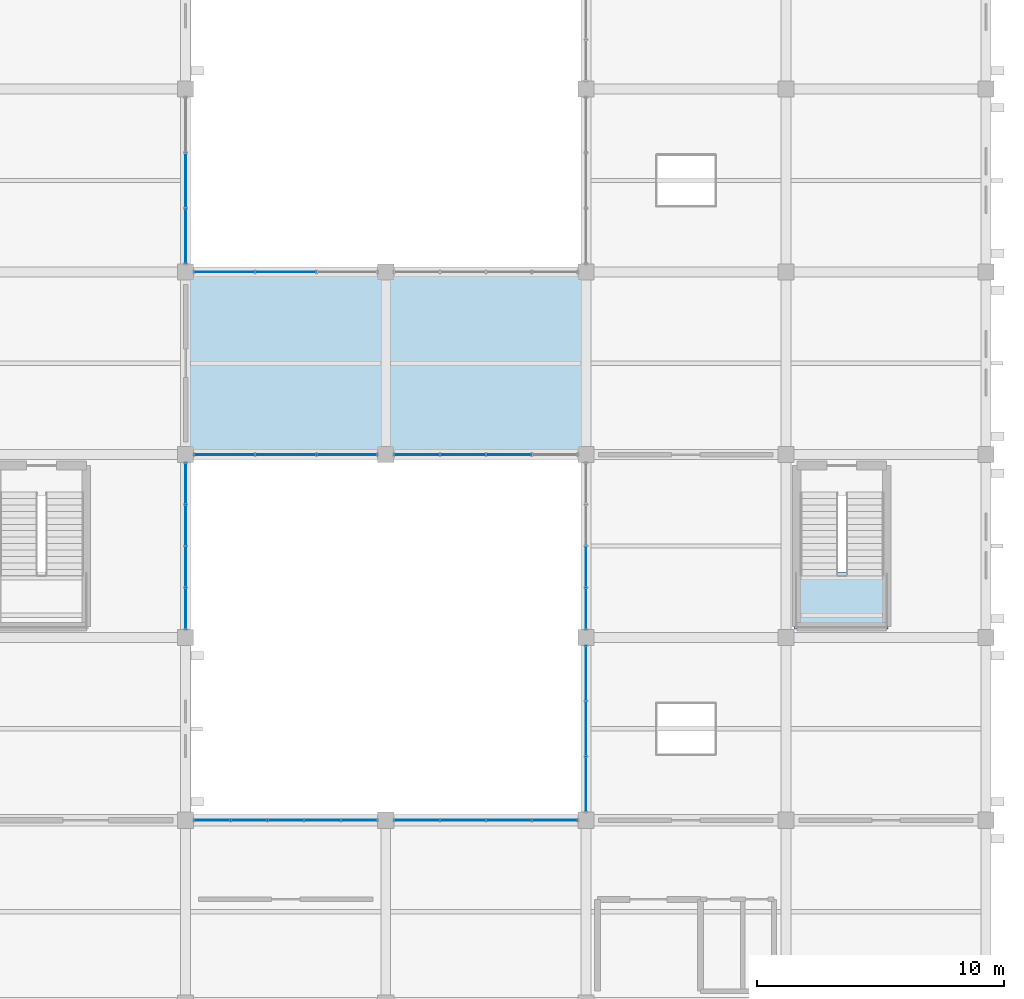
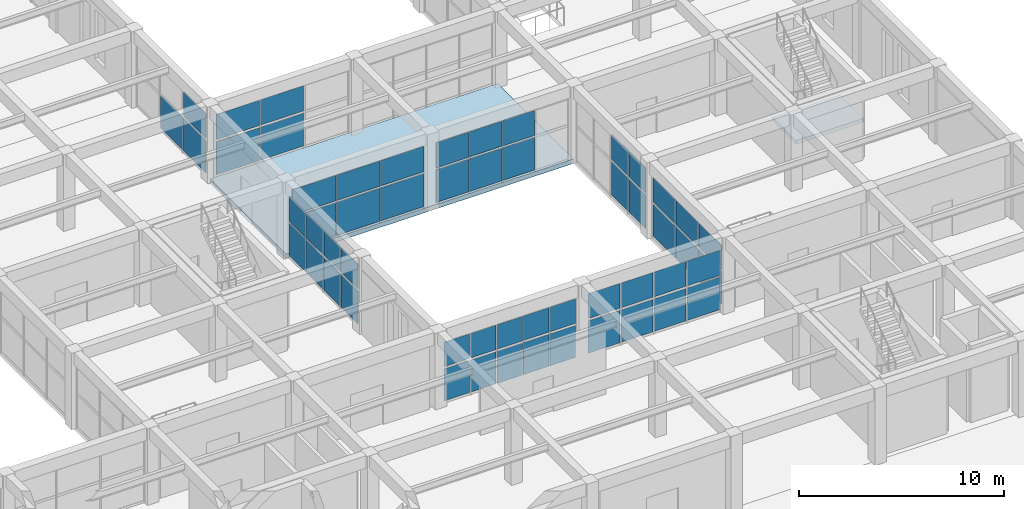
# One storey, part 140 of 161: 55 plates, 2 slabs, 10 elements without a shape of their own.
"""IFC4 building model written with IfcOpenShell, lengths in metres."""

from ifc_helpers import new_model, si_unit, direction, frame, origin, origin_2d, place, context, subcontext, project, spatial, polyline, rectangle, outline, extrude, material, layer, layer_set, type_object, element, aggregate, save


model = new_model("IFC4")

# Units and contexts
model_context = context("Model", 3, precision=1e-05, world=origin(), true_north=direction((0.0, 1.0)))
body_context = subcontext(model_context, "Body", "Model", "MODEL_VIEW")
ifc_project = project(units=[si_unit("LENGTHUNIT", "METRE"), si_unit("AREAUNIT", "SQUARE_METRE"), si_unit("VOLUMEUNIT", "CUBIC_METRE"), si_unit("PLANEANGLEUNIT", "RADIAN"), si_unit("MASSUNIT", "GRAM", prefix="KILO")], contexts=[model_context])

# Site, building, storey
site_placement = place(None, origin())
site = spatial("IfcSite", under=ifc_project, at=site_placement, CompositionType="ELEMENT")
building_placement = place(site_placement, origin())
building = spatial("IfcBuilding", under=site, at=building_placement, Name="Cimatlan Art Gallery", CompositionType="ELEMENT")
storey_placement = place(building_placement, frame((0.0, 0.0, 5.39990234375)))
storey = spatial("IfcBuildingStorey", under=building, at=storey_placement, Name="L01", CompositionType="ELEMENT", Elevation=5.39990234375)

# Curtain wall, plates
ifc_material_1 = material(Name="Anodised bronze unitised curtain wall")
curtain_wall_type_1 = type_object("IfcCurtainWallType", Name="CW-V-07442X03735-B5", PredefinedType="NOTDEFINED", material=ifc_material_1)
curtain_wall_1_placement = place(storey_placement, origin())
curtain_wall_1 = element("IfcCurtainWall", 1, at=curtain_wall_1_placement, inside=storey, type_object=curtain_wall_type_1, Name="CW-L01-16-04-N", PredefinedType="NOTDEFINED")
ifc_material_2 = material(Name="Low-E insulated double glazing", Category="glass")
ifc_layer_1 = layer(ifc_material_2, 0.028076171875)
ifc_layer_set_1 = layer_set([ifc_layer_1], Name="Low-E insulated double glazing")
plate_type_1 = type_object("IfcPlateType", Name="PNL-1430X1459", PredefinedType="CURTAIN_PANEL", material=ifc_layer_set_1)
plate_1_placement = place(storey_placement, frame((132.673095703125, 38.699951171875, 2.15380859375), z_axis=(0.0, 0.0, 1.0), x_axis=(1.0, 0.0, 0.0)))
plate_1 = element("IfcPlate", 2, at=plate_1_placement, type_object=plate_type_1, Name="CW-L01-16-04-N-P12", PredefinedType="CURTAIN_PANEL", context=body_context, shape_type="SweptSolid", body=[
    extrude(rectangle(XDim=1.429931640625, YDim=0.028076171875, at=origin_2d()), origin(), (0.0, 0.0, 1.0), 1.458984375),
])
plate_2_placement = place(storey_placement, frame((134.16162109375, 38.699951171875, 2.15380859375), z_axis=(0.0, 0.0, 1.0), x_axis=(1.0, 0.0, 0.0)))
plate_2 = element("IfcPlate", 3, at=plate_2_placement, type_object=plate_type_1, Name="CW-L01-16-04-N-P22", PredefinedType="CURTAIN_PANEL", context=body_context, shape_type="SweptSolid", body=[
    extrude(rectangle(XDim=1.429931640625, YDim=0.028076171875, at=origin_2d()), origin(), (0.0, 0.0, 1.0), 1.458984375),
])
plate_3_placement = place(storey_placement, frame((135.64990234375, 38.699951171875, 2.15380859375), z_axis=(0.0, 0.0, 1.0), x_axis=(1.0, 0.0, 0.0)))
plate_3 = element("IfcPlate", 4, at=plate_3_placement, type_object=plate_type_1, Name="CW-L01-16-04-N-P32", PredefinedType="CURTAIN_PANEL", context=body_context, shape_type="SweptSolid", body=[
    extrude(rectangle(XDim=1.429931640625, YDim=0.028076171875, at=origin_2d()), origin(), (0.0, 0.0, 1.0), 1.458984375),
])
plate_4_placement = place(storey_placement, frame((137.138427734375, 38.699951171875, 2.15380859375), z_axis=(0.0, 0.0, 1.0), x_axis=(1.0, 0.0, 0.0)))
plate_4 = element("IfcPlate", 5, at=plate_4_placement, type_object=plate_type_1, Name="CW-L01-16-04-N-P42", PredefinedType="CURTAIN_PANEL", context=body_context, shape_type="SweptSolid", body=[
    extrude(rectangle(XDim=1.429931640625, YDim=0.028076171875, at=origin_2d()), origin(), (0.0, 0.0, 1.0), 1.458984375),
])
plate_5_placement = place(storey_placement, frame((138.626708984375, 38.699951171875, 2.15380859375), z_axis=(0.0, 0.0, 1.0), x_axis=(1.0, 0.0, 0.0)))
plate_5 = element("IfcPlate", 6, at=plate_5_placement, type_object=plate_type_1, Name="CW-L01-16-04-N-P52", PredefinedType="CURTAIN_PANEL", context=body_context, shape_type="SweptSolid", body=[
    extrude(rectangle(XDim=1.429931640625, YDim=0.028076171875, at=origin_2d()), origin(), (0.0, 0.0, 1.0), 1.458984375),
])
ifc_layer_2 = layer(ifc_material_2, 0.028076171875)
ifc_layer_set_2 = layer_set([ifc_layer_2], Name="Low-E insulated double glazing")
plate_type_2 = type_object("IfcPlateType", Name="PNL-1430X1908", PredefinedType="CURTAIN_PANEL", material=ifc_layer_set_2)
plate_6_placement = place(storey_placement, frame((132.673095703125, 38.699951171875, 0.1220703125), z_axis=(0.0, 0.0, 1.0), x_axis=(1.0, 0.0, 0.0)))
plate_6 = element("IfcPlate", 7, at=plate_6_placement, type_object=plate_type_2, Name="CW-L01-16-04-N-P11", PredefinedType="CURTAIN_PANEL", context=body_context, shape_type="SweptSolid", body=[
    extrude(rectangle(XDim=1.429931640625, YDim=0.028076171875, at=origin_2d()), origin(), (0.0, 0.0, 1.0), 1.907958984375),
])
plate_7_placement = place(storey_placement, frame((134.16162109375, 38.699951171875, 0.1220703125), z_axis=(0.0, 0.0, 1.0), x_axis=(1.0, 0.0, 0.0)))
plate_7 = element("IfcPlate", 8, at=plate_7_placement, type_object=plate_type_2, Name="CW-L01-16-04-N-P21", PredefinedType="CURTAIN_PANEL", context=body_context, shape_type="SweptSolid", body=[
    extrude(rectangle(XDim=1.429931640625, YDim=0.028076171875, at=origin_2d()), origin(), (0.0, 0.0, 1.0), 1.907958984375),
])
plate_8_placement = place(storey_placement, frame((135.64990234375, 38.699951171875, 0.1220703125), z_axis=(0.0, 0.0, 1.0), x_axis=(1.0, 0.0, 0.0)))
plate_8 = element("IfcPlate", 9, at=plate_8_placement, type_object=plate_type_2, Name="CW-L01-16-04-N-P31", PredefinedType="CURTAIN_PANEL", context=body_context, shape_type="SweptSolid", body=[
    extrude(rectangle(XDim=1.429931640625, YDim=0.028076171875, at=origin_2d()), origin(), (0.0, 0.0, 1.0), 1.907958984375),
])
plate_9_placement = place(storey_placement, frame((137.138427734375, 38.699951171875, 0.1220703125), z_axis=(0.0, 0.0, 1.0), x_axis=(1.0, 0.0, 0.0)))
plate_9 = element("IfcPlate", 10, at=plate_9_placement, type_object=plate_type_2, Name="CW-L01-16-04-N-P41", PredefinedType="CURTAIN_PANEL", context=body_context, shape_type="SweptSolid", body=[
    extrude(rectangle(XDim=1.429931640625, YDim=0.028076171875, at=origin_2d()), origin(), (0.0, 0.0, 1.0), 1.907958984375),
])
plate_10_placement = place(storey_placement, frame((138.626708984375, 38.699951171875, 0.1220703125), z_axis=(0.0, 0.0, 1.0), x_axis=(1.0, 0.0, 0.0)))
plate_10 = element("IfcPlate", 11, at=plate_10_placement, type_object=plate_type_2, Name="CW-L01-16-04-N-P51", PredefinedType="CURTAIN_PANEL", context=body_context, shape_type="SweptSolid", body=[
    extrude(rectangle(XDim=1.429931640625, YDim=0.028076171875, at=origin_2d()), origin(), (0.0, 0.0, 1.0), 1.907958984375),
])
aggregate(curtain_wall_1, [plate_6, plate_1, plate_7, plate_2, plate_8, plate_3, plate_9, plate_4, plate_10, plate_5])

curtain_wall_type_2 = type_object("IfcCurtainWallType", Name="CW-V-06742X03800-B4", PredefinedType="NOTDEFINED", material=ifc_material_1)
curtain_wall_2_placement = place(storey_placement, origin())
curtain_wall_2 = element("IfcCurtainWall", 12, at=curtain_wall_2_placement, inside=storey, type_object=curtain_wall_type_2, Name="CW-L01-15-06-E", PredefinedType="NOTDEFINED")
ifc_layer_3 = layer(ifc_material_2, 0.028076171875)
ifc_layer_set_3 = layer_set([ifc_layer_3], Name="Low-E insulated double glazing")
plate_type_3 = type_object("IfcPlateType", Name="PNL-1627X1488", PredefinedType="CURTAIN_PANEL", material=ifc_layer_set_3)
plate_11_placement = place(storey_placement, frame((131.60009765625, 52.328369140625, 2.18994140625), z_axis=(0.0, 0.0, 1.0), x_axis=(0.0, -1.0, 0.0)))
plate_11 = element("IfcPlate", 13, at=plate_11_placement, type_object=plate_type_3, Name="CW-L01-15-06-E-P12", PredefinedType="CURTAIN_PANEL", context=body_context, shape_type="SweptSolid", body=[
    extrude(rectangle(XDim=1.626953125, YDim=0.028076171875, at=origin_2d()), origin(), (0.0, 0.0, 1.0), 1.488037109375),
])
plate_12_placement = place(storey_placement, frame((131.60009765625, 50.642822265625, 2.18994140625), z_axis=(0.0, 0.0, 1.0), x_axis=(0.0, -1.0, 0.0)))
plate_12 = element("IfcPlate", 14, at=plate_12_placement, type_object=plate_type_3, Name="CW-L01-15-06-E-P22", PredefinedType="CURTAIN_PANEL", context=body_context, shape_type="SweptSolid", body=[
    extrude(rectangle(XDim=1.626953125, YDim=0.028076171875, at=origin_2d()), origin(), (0.0, 0.0, 1.0), 1.488037109375),
])
plate_13_placement = place(storey_placement, frame((131.60009765625, 48.957275390625, 2.18994140625), z_axis=(0.0, 0.0, 1.0), x_axis=(0.0, -1.0, 0.0)))
plate_13 = element("IfcPlate", 15, at=plate_13_placement, type_object=plate_type_3, Name="CW-L01-15-06-E-P32", PredefinedType="CURTAIN_PANEL", context=body_context, shape_type="SweptSolid", body=[
    extrude(rectangle(XDim=1.626953125, YDim=0.028076171875, at=origin_2d()), origin(), (0.0, 0.0, 1.0), 1.488037109375),
])
plate_14_placement = place(storey_placement, frame((131.60009765625, 47.271728515625, 2.18994140625), z_axis=(0.0, 0.0, 1.0), x_axis=(0.0, -1.0, 0.0)))
plate_14 = element("IfcPlate", 16, at=plate_14_placement, type_object=plate_type_3, Name="CW-L01-15-06-E-P42", PredefinedType="CURTAIN_PANEL", context=body_context, shape_type="SweptSolid", body=[
    extrude(rectangle(XDim=1.626953125, YDim=0.028076171875, at=origin_2d()), origin(), (0.0, 0.0, 1.0), 1.488037109375),
])

curtain_wall_type_3 = type_object("IfcCurtainWallType", Name="CW-V-06742X03845-B4", PredefinedType="NOTDEFINED", material=ifc_material_1)
curtain_wall_3_placement = place(storey_placement, origin())
curtain_wall_3 = element("IfcCurtainWall", 17, at=curtain_wall_3_placement, inside=storey, type_object=curtain_wall_type_3, Name="CW-L01-18-06-W", PredefinedType="NOTDEFINED")
ifc_layer_4 = layer(ifc_material_2, 0.028076171875)
ifc_layer_set_4 = layer_set([ifc_layer_4], Name="Low-E insulated double glazing")
plate_type_4 = type_object("IfcPlateType", Name="PNL-1627X1508", PredefinedType="CURTAIN_PANEL", material=ifc_layer_set_4)
plate_15_placement = place(storey_placement, frame((147.800048828125, 47.271728515625, 2.21533203125), z_axis=(0.0, 0.0, 1.0), x_axis=(0.0, 1.0, 0.0)))
plate_15 = element("IfcPlate", 18, at=plate_15_placement, type_object=plate_type_4, Name="CW-L01-18-06-W-P12", PredefinedType="CURTAIN_PANEL", context=body_context, shape_type="SweptSolid", body=[
    extrude(rectangle(XDim=1.626953125, YDim=0.028076171875, at=origin_2d()), origin(), (0.0, 0.0, 1.0), 1.508056640625),
])
plate_16_placement = place(storey_placement, frame((147.800048828125, 48.957275390625, 2.21533203125), z_axis=(0.0, 0.0, 1.0), x_axis=(0.0, 1.0, 0.0)))
plate_16 = element("IfcPlate", 19, at=plate_16_placement, type_object=plate_type_4, Name="CW-L01-18-06-W-P22", PredefinedType="CURTAIN_PANEL", context=body_context, shape_type="SweptSolid", body=[
    extrude(rectangle(XDim=1.626953125, YDim=0.028076171875, at=origin_2d()), origin(), (0.0, 0.0, 1.0), 1.508056640625),
])

# Plate
ifc_layer_5 = layer(ifc_material_2, 0.028076171875)
ifc_layer_set_5 = layer_set([ifc_layer_5], Name="Low-E insulated double glazing")
plate_type_5 = type_object("IfcPlateType", Name="PNL-1627X1944", PredefinedType="CURTAIN_PANEL", material=ifc_layer_set_5)
plate_17_placement = place(storey_placement, frame((131.60009765625, 52.328369140625, 0.1220703125), z_axis=(0.0, 0.0, 1.0), x_axis=(0.0, -1.0, 0.0)))
plate_17 = element("IfcPlate", 20, at=plate_17_placement, type_object=plate_type_5, Name="CW-L01-15-06-E-P11", PredefinedType="CURTAIN_PANEL", context=body_context, shape_type="SweptSolid", body=[
    extrude(rectangle(XDim=1.626953125, YDim=0.028076171875, at=origin_2d()), origin(), (0.0, 0.0, 1.0), 1.944091796875),
])

plate_18_placement = place(storey_placement, frame((131.60009765625, 50.642822265625, 0.1220703125), z_axis=(0.0, 0.0, 1.0), x_axis=(0.0, -1.0, 0.0)))
plate_18 = element("IfcPlate", 21, at=plate_18_placement, type_object=plate_type_5, Name="CW-L01-15-06-E-P21", PredefinedType="CURTAIN_PANEL", context=body_context, shape_type="SweptSolid", body=[
    extrude(rectangle(XDim=1.626953125, YDim=0.028076171875, at=origin_2d()), origin(), (0.0, 0.0, 1.0), 1.944091796875),
])

plate_19_placement = place(storey_placement, frame((131.60009765625, 48.957275390625, 0.1220703125), z_axis=(0.0, 0.0, 1.0), x_axis=(0.0, -1.0, 0.0)))
plate_19 = element("IfcPlate", 22, at=plate_19_placement, type_object=plate_type_5, Name="CW-L01-15-06-E-P31", PredefinedType="CURTAIN_PANEL", context=body_context, shape_type="SweptSolid", body=[
    extrude(rectangle(XDim=1.626953125, YDim=0.028076171875, at=origin_2d()), origin(), (0.0, 0.0, 1.0), 1.944091796875),
])

plate_20_placement = place(storey_placement, frame((131.60009765625, 47.271728515625, 0.1220703125), z_axis=(0.0, 0.0, 1.0), x_axis=(0.0, -1.0, 0.0)))
plate_20 = element("IfcPlate", 23, at=plate_20_placement, type_object=plate_type_5, Name="CW-L01-15-06-E-P41", PredefinedType="CURTAIN_PANEL", context=body_context, shape_type="SweptSolid", body=[
    extrude(rectangle(XDim=1.626953125, YDim=0.028076171875, at=origin_2d()), origin(), (0.0, 0.0, 1.0), 1.944091796875),
])

aggregate(curtain_wall_2, [plate_17, plate_11, plate_18, plate_12, plate_19, plate_13, plate_20, plate_14])

ifc_layer_6 = layer(ifc_material_2, 0.028076171875)
ifc_layer_set_6 = layer_set([ifc_layer_6], Name="Low-E insulated double glazing")
plate_type_6 = type_object("IfcPlateType", Name="PNL-1627X1969", PredefinedType="CURTAIN_PANEL", material=ifc_layer_set_6)
plate_21_placement = place(storey_placement, frame((147.800048828125, 47.271728515625, 0.1220703125), z_axis=(0.0, 0.0, 1.0), x_axis=(0.0, 1.0, 0.0)))
plate_21 = element("IfcPlate", 24, at=plate_21_placement, type_object=plate_type_6, Name="CW-L01-18-06-W-P11", PredefinedType="CURTAIN_PANEL", context=body_context, shape_type="SweptSolid", body=[
    extrude(rectangle(XDim=1.626953125, YDim=0.028076171875, at=origin_2d()), origin(), (0.0, 0.0, 1.0), 1.968994140625),
])

plate_22_placement = place(storey_placement, frame((147.800048828125, 48.957275390625, 0.1220703125), z_axis=(0.0, 0.0, 1.0), x_axis=(0.0, 1.0, 0.0)))
plate_22 = element("IfcPlate", 25, at=plate_22_placement, type_object=plate_type_6, Name="CW-L01-18-06-W-P21", PredefinedType="CURTAIN_PANEL", context=body_context, shape_type="SweptSolid", body=[
    extrude(rectangle(XDim=1.626953125, YDim=0.028076171875, at=origin_2d()), origin(), (0.0, 0.0, 1.0), 1.968994140625),
])

aggregate(curtain_wall_3, [plate_21, plate_15, plate_22, plate_16])

# Curtain wall, plates
curtain_wall_type_4 = type_object("IfcCurtainWallType", Name="CW-V-07442X03780-B4", PredefinedType="NOTDEFINED", material=ifc_material_1)
curtain_wall_4_placement = place(storey_placement, origin())
curtain_wall_4 = element("IfcCurtainWall", 26, at=curtain_wall_4_placement, inside=storey, type_object=curtain_wall_type_4, Name="CW-L01-17-04-N", PredefinedType="NOTDEFINED")
ifc_layer_7 = layer(ifc_material_2, 0.028076171875)
ifc_layer_set_7 = layer_set([ifc_layer_7], Name="Low-E insulated double glazing")
plate_type_7 = type_object("IfcPlateType", Name="PNL-1802X1479", PredefinedType="CURTAIN_PANEL", material=ifc_layer_set_7)
plate_23_placement = place(storey_placement, frame((140.959228515625, 38.699951171875, 2.178955078125), z_axis=(0.0, 0.0, 1.0), x_axis=(1.0, 0.0, 0.0)))
plate_23 = element("IfcPlate", 27, at=plate_23_placement, type_object=plate_type_7, Name="CW-L01-17-04-N-P12", PredefinedType="CURTAIN_PANEL", context=body_context, shape_type="SweptSolid", body=[
    extrude(rectangle(XDim=1.802001953125, YDim=0.028076171875, at=origin_2d()), origin(), (0.0, 0.0, 1.0), 1.47900390625),
])
plate_24_placement = place(storey_placement, frame((142.81982421875, 38.699951171875, 2.178955078125), z_axis=(0.0, 0.0, 1.0), x_axis=(1.0, 0.0, 0.0)))
plate_24 = element("IfcPlate", 28, at=plate_24_placement, type_object=plate_type_7, Name="CW-L01-17-04-N-P22", PredefinedType="CURTAIN_PANEL", context=body_context, shape_type="SweptSolid", body=[
    extrude(rectangle(XDim=1.802001953125, YDim=0.028076171875, at=origin_2d()), origin(), (0.0, 0.0, 1.0), 1.47900390625),
])
plate_25_placement = place(storey_placement, frame((144.68017578125, 38.699951171875, 2.178955078125), z_axis=(0.0, 0.0, 1.0), x_axis=(1.0, 0.0, 0.0)))
plate_25 = element("IfcPlate", 29, at=plate_25_placement, type_object=plate_type_7, Name="CW-L01-17-04-N-P32", PredefinedType="CURTAIN_PANEL", context=body_context, shape_type="SweptSolid", body=[
    extrude(rectangle(XDim=1.802001953125, YDim=0.028076171875, at=origin_2d()), origin(), (0.0, 0.0, 1.0), 1.47900390625),
])
plate_26_placement = place(storey_placement, frame((146.540771484375, 38.699951171875, 2.178955078125), z_axis=(0.0, 0.0, 1.0), x_axis=(1.0, 0.0, 0.0)))
plate_26 = element("IfcPlate", 30, at=plate_26_placement, type_object=plate_type_7, Name="CW-L01-17-04-N-P42", PredefinedType="CURTAIN_PANEL", context=body_context, shape_type="SweptSolid", body=[
    extrude(rectangle(XDim=1.802001953125, YDim=0.028076171875, at=origin_2d()), origin(), (0.0, 0.0, 1.0), 1.47900390625),
])

curtain_wall_type_5 = type_object("IfcCurtainWallType", Name="CW-V-07442X03785-B4", PredefinedType="NOTDEFINED", material=ifc_material_1)
curtain_wall_5_placement = place(storey_placement, origin())
curtain_wall_5 = element("IfcCurtainWall", 31, at=curtain_wall_5_placement, inside=storey, type_object=curtain_wall_type_5, Name="CW-L01-17-07-S", PredefinedType="NOTDEFINED")
ifc_layer_8 = layer(ifc_material_2, 0.028076171875)
ifc_layer_set_8 = layer_set([ifc_layer_8], Name="Low-E insulated double glazing")
plate_type_8 = type_object("IfcPlateType", Name="PNL-1802X1481", PredefinedType="CURTAIN_PANEL", material=ifc_layer_set_8)
plate_27_placement = place(storey_placement, frame((144.68017578125, 53.5, 2.181884765625), z_axis=(0.0, 0.0, 1.0), x_axis=(-1.0, 0.0, 0.0)))
plate_27 = element("IfcPlate", 32, at=plate_27_placement, type_object=plate_type_8, Name="CW-L01-17-07-S-P22", PredefinedType="CURTAIN_PANEL", context=body_context, shape_type="SweptSolid", body=[
    extrude(rectangle(XDim=1.802001953125, YDim=0.028076171875, at=origin_2d()), origin(), (0.0, 0.0, 1.0), 1.48095703125),
])
plate_28_placement = place(storey_placement, frame((142.81982421875, 53.5, 2.181884765625), z_axis=(0.0, 0.0, 1.0), x_axis=(-1.0, 0.0, 0.0)))
plate_28 = element("IfcPlate", 33, at=plate_28_placement, type_object=plate_type_8, Name="CW-L01-17-07-S-P32", PredefinedType="CURTAIN_PANEL", context=body_context, shape_type="SweptSolid", body=[
    extrude(rectangle(XDim=1.802001953125, YDim=0.028076171875, at=origin_2d()), origin(), (0.0, 0.0, 1.0), 1.48095703125),
])
plate_29_placement = place(storey_placement, frame((140.959228515625, 53.5, 2.181884765625), z_axis=(0.0, 0.0, 1.0), x_axis=(-1.0, 0.0, 0.0)))
plate_29 = element("IfcPlate", 34, at=plate_29_placement, type_object=plate_type_8, Name="CW-L01-17-07-S-P42", PredefinedType="CURTAIN_PANEL", context=body_context, shape_type="SweptSolid", body=[
    extrude(rectangle(XDim=1.802001953125, YDim=0.028076171875, at=origin_2d()), origin(), (0.0, 0.0, 1.0), 1.48095703125),
])

# Plate
ifc_layer_9 = layer(ifc_material_2, 0.028076171875)
ifc_layer_set_9 = layer_set([ifc_layer_9], Name="Low-E insulated double glazing")
plate_type_9 = type_object("IfcPlateType", Name="PNL-1802X1933", PredefinedType="CURTAIN_PANEL", material=ifc_layer_set_9)
plate_30_placement = place(storey_placement, frame((140.959228515625, 38.699951171875, 0.121826171875), z_axis=(0.0, 0.0, 1.0), x_axis=(1.0, 0.0, 0.0)))
plate_30 = element("IfcPlate", 35, at=plate_30_placement, type_object=plate_type_9, Name="CW-L01-17-04-N-P11", PredefinedType="CURTAIN_PANEL", context=body_context, shape_type="SweptSolid", body=[
    extrude(rectangle(XDim=1.802001953125, YDim=0.028076171875, at=origin_2d()), origin(), (0.0, 0.0, 1.0), 1.93310546875),
])

plate_31_placement = place(storey_placement, frame((142.81982421875, 38.699951171875, 0.121826171875), z_axis=(0.0, 0.0, 1.0), x_axis=(1.0, 0.0, 0.0)))
plate_31 = element("IfcPlate", 36, at=plate_31_placement, type_object=plate_type_9, Name="CW-L01-17-04-N-P21", PredefinedType="CURTAIN_PANEL", context=body_context, shape_type="SweptSolid", body=[
    extrude(rectangle(XDim=1.802001953125, YDim=0.028076171875, at=origin_2d()), origin(), (0.0, 0.0, 1.0), 1.93310546875),
])

plate_32_placement = place(storey_placement, frame((144.68017578125, 38.699951171875, 0.121826171875), z_axis=(0.0, 0.0, 1.0), x_axis=(1.0, 0.0, 0.0)))
plate_32 = element("IfcPlate", 37, at=plate_32_placement, type_object=plate_type_9, Name="CW-L01-17-04-N-P31", PredefinedType="CURTAIN_PANEL", context=body_context, shape_type="SweptSolid", body=[
    extrude(rectangle(XDim=1.802001953125, YDim=0.028076171875, at=origin_2d()), origin(), (0.0, 0.0, 1.0), 1.93310546875),
])

plate_33_placement = place(storey_placement, frame((146.540771484375, 38.699951171875, 0.121826171875), z_axis=(0.0, 0.0, 1.0), x_axis=(1.0, 0.0, 0.0)))
plate_33 = element("IfcPlate", 38, at=plate_33_placement, type_object=plate_type_9, Name="CW-L01-17-04-N-P41", PredefinedType="CURTAIN_PANEL", context=body_context, shape_type="SweptSolid", body=[
    extrude(rectangle(XDim=1.802001953125, YDim=0.028076171875, at=origin_2d()), origin(), (0.0, 0.0, 1.0), 1.93310546875),
])

aggregate(curtain_wall_4, [plate_30, plate_23, plate_31, plate_24, plate_32, plate_25, plate_33, plate_26])

ifc_layer_10 = layer(ifc_material_2, 0.028076171875)
ifc_layer_set_10 = layer_set([ifc_layer_10], Name="Low-E insulated double glazing")
plate_type_10 = type_object("IfcPlateType", Name="PNL-1802X1936", PredefinedType="CURTAIN_PANEL", material=ifc_layer_set_10)
plate_34_placement = place(storey_placement, frame((144.68017578125, 53.5, 0.121826171875), z_axis=(0.0, 0.0, 1.0), x_axis=(-1.0, 0.0, 0.0)))
plate_34 = element("IfcPlate", 39, at=plate_34_placement, type_object=plate_type_10, Name="CW-L01-17-07-S-P21", PredefinedType="CURTAIN_PANEL", context=body_context, shape_type="SweptSolid", body=[
    extrude(rectangle(XDim=1.802001953125, YDim=0.028076171875, at=origin_2d()), origin(), (0.0, 0.0, 1.0), 1.93603515625),
])

plate_35_placement = place(storey_placement, frame((142.81982421875, 53.5, 0.121826171875), z_axis=(0.0, 0.0, 1.0), x_axis=(-1.0, 0.0, 0.0)))
plate_35 = element("IfcPlate", 40, at=plate_35_placement, type_object=plate_type_10, Name="CW-L01-17-07-S-P31", PredefinedType="CURTAIN_PANEL", context=body_context, shape_type="SweptSolid", body=[
    extrude(rectangle(XDim=1.802001953125, YDim=0.028076171875, at=origin_2d()), origin(), (0.0, 0.0, 1.0), 1.93603515625),
])

plate_36_placement = place(storey_placement, frame((140.959228515625, 53.5, 0.121826171875), z_axis=(0.0, 0.0, 1.0), x_axis=(-1.0, 0.0, 0.0)))
plate_36 = element("IfcPlate", 41, at=plate_36_placement, type_object=plate_type_10, Name="CW-L01-17-07-S-P41", PredefinedType="CURTAIN_PANEL", context=body_context, shape_type="SweptSolid", body=[
    extrude(rectangle(XDim=1.802001953125, YDim=0.028076171875, at=origin_2d()), origin(), (0.0, 0.0, 1.0), 1.93603515625),
])

aggregate(curtain_wall_5, [plate_34, plate_27, plate_35, plate_28, plate_36, plate_29])

# Curtain wall, plates
curtain_wall_type_6 = type_object("IfcCurtainWallType", Name="CW-V-06742X03720-B3", PredefinedType="NOTDEFINED", material=ifc_material_1)
curtain_wall_6_placement = place(storey_placement, origin())
curtain_wall_6 = element("IfcCurtainWall", 42, at=curtain_wall_6_placement, inside=storey, type_object=curtain_wall_type_6, Name="CW-L01-18-05-W", PredefinedType="NOTDEFINED")
ifc_layer_11 = layer(ifc_material_2, 0.028076171875)
ifc_layer_set_11 = layer_set([ifc_layer_11], Name="Low-E insulated double glazing")
plate_type_11 = type_object("IfcPlateType", Name="PNL-2189X1453", PredefinedType="CURTAIN_PANEL", material=ifc_layer_set_11)
plate_37_placement = place(storey_placement, frame((147.800048828125, 40.152587890625, 2.14501953125), z_axis=(0.0, 0.0, 1.0), x_axis=(0.0, 1.0, 0.0)))
plate_37 = element("IfcPlate", 43, at=plate_37_placement, type_object=plate_type_11, Name="CW-L01-18-05-W-P12", PredefinedType="CURTAIN_PANEL", context=body_context, shape_type="SweptSolid", body=[
    extrude(rectangle(XDim=2.18896484375, YDim=0.028076171875, at=origin_2d()), origin(), (0.0, 0.0, 1.0), 1.452880859375),
])
plate_38_placement = place(storey_placement, frame((147.800048828125, 42.39990234375, 2.14501953125), z_axis=(0.0, 0.0, 1.0), x_axis=(0.0, 1.0, 0.0)))
plate_38 = element("IfcPlate", 44, at=plate_38_placement, type_object=plate_type_11, Name="CW-L01-18-05-W-P22", PredefinedType="CURTAIN_PANEL", context=body_context, shape_type="SweptSolid", body=[
    extrude(rectangle(XDim=2.18896484375, YDim=0.028076171875, at=origin_2d()), origin(), (0.0, 0.0, 1.0), 1.452880859375),
])
plate_39_placement = place(storey_placement, frame((147.800048828125, 44.647216796875, 2.14501953125), z_axis=(0.0, 0.0, 1.0), x_axis=(0.0, 1.0, 0.0)))
plate_39 = element("IfcPlate", 45, at=plate_39_placement, type_object=plate_type_11, Name="CW-L01-18-05-W-P32", PredefinedType="CURTAIN_PANEL", context=body_context, shape_type="SweptSolid", body=[
    extrude(rectangle(XDim=2.18896484375, YDim=0.028076171875, at=origin_2d()), origin(), (0.0, 0.0, 1.0), 1.452880859375),
])

# Curtain wall, plate
curtain_wall_type_7 = type_object("IfcCurtainWallType", Name="CW-V-06742X03770-B3", PredefinedType="NOTDEFINED", material=ifc_material_1)
curtain_wall_7_placement = place(storey_placement, origin())
curtain_wall_7 = element("IfcCurtainWall", 46, at=curtain_wall_7_placement, inside=storey, type_object=curtain_wall_type_7, Name="CW-L01-15-08-E", PredefinedType="NOTDEFINED")
ifc_layer_12 = layer(ifc_material_2, 0.028076171875)
ifc_layer_set_12 = layer_set([ifc_layer_12], Name="Low-E insulated double glazing")
plate_type_12 = type_object("IfcPlateType", Name="PNL-2189X1475", PredefinedType="CURTAIN_PANEL", material=ifc_layer_set_12)
plate_40_placement = place(storey_placement, frame((131.60009765625, 62.352783203125, 2.173095703125), z_axis=(0.0, 0.0, 1.0), x_axis=(0.0, -1.0, 0.0)))
plate_40 = element("IfcPlate", 47, at=plate_40_placement, type_object=plate_type_12, Name="CW-L01-15-08-E-P32", PredefinedType="CURTAIN_PANEL", context=body_context, shape_type="SweptSolid", body=[
    extrude(rectangle(XDim=2.18896484375, YDim=0.028076171875, at=origin_2d()), origin(), (0.0, 0.0, 1.0), 1.47509765625),
])

# Plate
ifc_layer_13 = layer(ifc_material_2, 0.028076171875)
ifc_layer_set_13 = layer_set([ifc_layer_13], Name="Low-E insulated double glazing")
plate_type_13 = type_object("IfcPlateType", Name="PNL-2189X1899", PredefinedType="CURTAIN_PANEL", material=ifc_layer_set_13)
plate_41_placement = place(storey_placement, frame((147.800048828125, 40.152587890625, 0.122314453125), z_axis=(0.0, 0.0, 1.0), x_axis=(0.0, 1.0, 0.0)))
plate_41 = element("IfcPlate", 48, at=plate_41_placement, type_object=plate_type_13, Name="CW-L01-18-05-W-P11", PredefinedType="CURTAIN_PANEL", context=body_context, shape_type="SweptSolid", body=[
    extrude(rectangle(XDim=2.18896484375, YDim=0.028076171875, at=origin_2d()), origin(), (0.0, 0.0, 1.0), 1.89892578125),
])

plate_42_placement = place(storey_placement, frame((147.800048828125, 42.39990234375, 0.122314453125), z_axis=(0.0, 0.0, 1.0), x_axis=(0.0, 1.0, 0.0)))
plate_42 = element("IfcPlate", 49, at=plate_42_placement, type_object=plate_type_13, Name="CW-L01-18-05-W-P21", PredefinedType="CURTAIN_PANEL", context=body_context, shape_type="SweptSolid", body=[
    extrude(rectangle(XDim=2.18896484375, YDim=0.028076171875, at=origin_2d()), origin(), (0.0, 0.0, 1.0), 1.89892578125),
])

plate_43_placement = place(storey_placement, frame((147.800048828125, 44.647216796875, 0.122314453125), z_axis=(0.0, 0.0, 1.0), x_axis=(0.0, 1.0, 0.0)))
plate_43 = element("IfcPlate", 50, at=plate_43_placement, type_object=plate_type_13, Name="CW-L01-18-05-W-P31", PredefinedType="CURTAIN_PANEL", context=body_context, shape_type="SweptSolid", body=[
    extrude(rectangle(XDim=2.18896484375, YDim=0.028076171875, at=origin_2d()), origin(), (0.0, 0.0, 1.0), 1.89892578125),
])

aggregate(curtain_wall_6, [plate_41, plate_37, plate_42, plate_38, plate_43, plate_39])

ifc_layer_14 = layer(ifc_material_2, 0.028076171875)
ifc_layer_set_14 = layer_set([ifc_layer_14], Name="Low-E insulated double glazing")
plate_type_14 = type_object("IfcPlateType", Name="PNL-2189X1927", PredefinedType="CURTAIN_PANEL", material=ifc_layer_set_14)
plate_44_placement = place(storey_placement, frame((131.60009765625, 64.60009765625, 0.1220703125), z_axis=(0.0, 0.0, 1.0), x_axis=(0.0, -1.0, 0.0)))
plate_44 = element("IfcPlate", 51, at=plate_44_placement, type_object=plate_type_14, Name="CW-L01-15-08-E-P21", PredefinedType="CURTAIN_PANEL", context=body_context, shape_type="SweptSolid", body=[
    extrude(rectangle(XDim=2.18896484375, YDim=0.028076171875, at=origin_2d()), origin(), (0.0, 0.0, 1.0), 1.927001953125),
])

plate_45_placement = place(storey_placement, frame((131.60009765625, 62.352783203125, 0.1220703125), z_axis=(0.0, 0.0, 1.0), x_axis=(0.0, -1.0, 0.0)))
plate_45 = element("IfcPlate", 52, at=plate_45_placement, type_object=plate_type_14, Name="CW-L01-15-08-E-P31", PredefinedType="CURTAIN_PANEL", context=body_context, shape_type="SweptSolid", body=[
    extrude(rectangle(XDim=2.18896484375, YDim=0.028076171875, at=origin_2d()), origin(), (0.0, 0.0, 1.0), 1.927001953125),
])

aggregate(curtain_wall_7, [plate_44, plate_45, plate_40])

# Curtain wall, plates
curtain_wall_type_8 = type_object("IfcCurtainWallType", Name="CW-V-07442X03830-B3", PredefinedType="NOTDEFINED", material=ifc_material_1)
curtain_wall_8_placement = place(storey_placement, origin())
curtain_wall_8 = element("IfcCurtainWall", 53, at=curtain_wall_8_placement, inside=storey, type_object=curtain_wall_type_8, Name="CW-L01-16-07-S", PredefinedType="NOTDEFINED")
ifc_layer_15 = layer(ifc_material_2, 0.028076171875)
ifc_layer_set_15 = layer_set([ifc_layer_15], Name="Low-E insulated double glazing")
plate_type_15 = type_object("IfcPlateType", Name="PNL-2423X1501", PredefinedType="CURTAIN_PANEL", material=ifc_layer_set_15)
plate_46_placement = place(storey_placement, frame((138.130615234375, 53.5, 2.20703125), z_axis=(0.0, 0.0, 1.0), x_axis=(-1.0, 0.0, 0.0)))
plate_46 = element("IfcPlate", 54, at=plate_46_placement, type_object=plate_type_15, Name="CW-L01-16-07-S-P12", PredefinedType="CURTAIN_PANEL", context=body_context, shape_type="SweptSolid", body=[
    extrude(rectangle(XDim=2.423095703125, YDim=0.028076171875, at=origin_2d()), origin(), (0.0, 0.0, 1.0), 1.5009765625),
])
plate_47_placement = place(storey_placement, frame((135.64990234375, 53.5, 2.20703125), z_axis=(0.0, 0.0, 1.0), x_axis=(-1.0, 0.0, 0.0)))
plate_47 = element("IfcPlate", 55, at=plate_47_placement, type_object=plate_type_15, Name="CW-L01-16-07-S-P22", PredefinedType="CURTAIN_PANEL", context=body_context, shape_type="SweptSolid", body=[
    extrude(rectangle(XDim=2.423095703125, YDim=0.028076171875, at=origin_2d()), origin(), (0.0, 0.0, 1.0), 1.5009765625),
])
plate_48_placement = place(storey_placement, frame((133.16943359375, 53.5, 2.20703125), z_axis=(0.0, 0.0, 1.0), x_axis=(-1.0, 0.0, 0.0)))
plate_48 = element("IfcPlate", 56, at=plate_48_placement, type_object=plate_type_15, Name="CW-L01-16-07-S-P32", PredefinedType="CURTAIN_PANEL", context=body_context, shape_type="SweptSolid", body=[
    extrude(rectangle(XDim=2.423095703125, YDim=0.028076171875, at=origin_2d()), origin(), (0.0, 0.0, 1.0), 1.5009765625),
])

curtain_wall_9_placement = place(storey_placement, origin())
curtain_wall_9 = element("IfcCurtainWall", 57, at=curtain_wall_9_placement, inside=storey, type_object=curtain_wall_type_8, Name="CW-L01-16-07-N", PredefinedType="NOTDEFINED")
plate_49_placement = place(storey_placement, frame((133.16943359375, 60.89990234375, 2.20703125), z_axis=(0.0, 0.0, 1.0), x_axis=(1.0, 0.0, 0.0)))
plate_49 = element("IfcPlate", 58, at=plate_49_placement, type_object=plate_type_15, Name="CW-L01-16-07-N-P12", PredefinedType="CURTAIN_PANEL", context=body_context, shape_type="SweptSolid", body=[
    extrude(rectangle(XDim=2.423095703125, YDim=0.028076171875, at=origin_2d()), origin(), (0.0, 0.0, 1.0), 1.5009765625),
])
plate_50_placement = place(storey_placement, frame((135.64990234375, 60.89990234375, 2.20703125), z_axis=(0.0, 0.0, 1.0), x_axis=(1.0, 0.0, 0.0)))
plate_50 = element("IfcPlate", 59, at=plate_50_placement, type_object=plate_type_15, Name="CW-L01-16-07-N-P22", PredefinedType="CURTAIN_PANEL", context=body_context, shape_type="SweptSolid", body=[
    extrude(rectangle(XDim=2.423095703125, YDim=0.028076171875, at=origin_2d()), origin(), (0.0, 0.0, 1.0), 1.5009765625),
])

# Plate
ifc_layer_16 = layer(ifc_material_2, 0.028076171875)
ifc_layer_set_16 = layer_set([ifc_layer_16], Name="Low-E insulated double glazing")
plate_type_16 = type_object("IfcPlateType", Name="PNL-2423X1961", PredefinedType="CURTAIN_PANEL", material=ifc_layer_set_16)
plate_51_placement = place(storey_placement, frame((138.130615234375, 53.5, 0.1220703125), z_axis=(0.0, 0.0, 1.0), x_axis=(-1.0, 0.0, 0.0)))
plate_51 = element("IfcPlate", 60, at=plate_51_placement, type_object=plate_type_16, Name="CW-L01-16-07-S-P11", PredefinedType="CURTAIN_PANEL", context=body_context, shape_type="SweptSolid", body=[
    extrude(rectangle(XDim=2.423095703125, YDim=0.028076171875, at=origin_2d()), origin(), (0.0, 0.0, 1.0), 1.9609375),
])

plate_52_placement = place(storey_placement, frame((135.64990234375, 53.5, 0.1220703125), z_axis=(0.0, 0.0, 1.0), x_axis=(-1.0, 0.0, 0.0)))
plate_52 = element("IfcPlate", 61, at=plate_52_placement, type_object=plate_type_16, Name="CW-L01-16-07-S-P21", PredefinedType="CURTAIN_PANEL", context=body_context, shape_type="SweptSolid", body=[
    extrude(rectangle(XDim=2.423095703125, YDim=0.028076171875, at=origin_2d()), origin(), (0.0, 0.0, 1.0), 1.9609375),
])

plate_53_placement = place(storey_placement, frame((133.16943359375, 53.5, 0.1220703125), z_axis=(0.0, 0.0, 1.0), x_axis=(-1.0, 0.0, 0.0)))
plate_53 = element("IfcPlate", 62, at=plate_53_placement, type_object=plate_type_16, Name="CW-L01-16-07-S-P31", PredefinedType="CURTAIN_PANEL", context=body_context, shape_type="SweptSolid", body=[
    extrude(rectangle(XDim=2.423095703125, YDim=0.028076171875, at=origin_2d()), origin(), (0.0, 0.0, 1.0), 1.9609375),
])

aggregate(curtain_wall_8, [plate_51, plate_46, plate_52, plate_47, plate_53, plate_48])

plate_54_placement = place(storey_placement, frame((133.16943359375, 60.89990234375, 0.1220703125), z_axis=(0.0, 0.0, 1.0), x_axis=(1.0, 0.0, 0.0)))
plate_54 = element("IfcPlate", 63, at=plate_54_placement, type_object=plate_type_16, Name="CW-L01-16-07-N-P11", PredefinedType="CURTAIN_PANEL", context=body_context, shape_type="SweptSolid", body=[
    extrude(rectangle(XDim=2.423095703125, YDim=0.028076171875, at=origin_2d()), origin(), (0.0, 0.0, 1.0), 1.9609375),
])

plate_55_placement = place(storey_placement, frame((135.64990234375, 60.89990234375, 0.1220703125), z_axis=(0.0, 0.0, 1.0), x_axis=(1.0, 0.0, 0.0)))
plate_55 = element("IfcPlate", 64, at=plate_55_placement, type_object=plate_type_16, Name="CW-L01-16-07-N-P21", PredefinedType="CURTAIN_PANEL", context=body_context, shape_type="SweptSolid", body=[
    extrude(rectangle(XDim=2.423095703125, YDim=0.028076171875, at=origin_2d()), origin(), (0.0, 0.0, 1.0), 1.9609375),
])

aggregate(curtain_wall_9, [plate_54, plate_49, plate_55, plate_50])

# Slab
ifc_material_3 = material(Name="Concrete C35/45", Category="concrete")
ifc_layer_17 = layer(ifc_material_3, 0.264892578125)
ifc_layer_set_17 = layer_set([ifc_layer_17], Name="Concrete C35/45")
slab_type_1 = type_object("IfcSlabType", Name="SLB-FLR-L01", PredefinedType="FLOOR", material=ifc_layer_set_17)
slab_1_placement = place(storey_placement, frame((0.0, 0.0, -0.264892578125)))
element("IfcSlab", 65, at=slab_1_placement, inside=storey, type_object=slab_type_1, Name="SLB-L01-BRG2", PredefinedType="FLOOR", context=body_context, shape_type="SweptSolid", body=[
    extrude(outline(polyline([(131.60009765625, 53.5), (147.800048828125, 53.5), (147.800048828125, 60.89990234375), (131.60009765625, 60.89990234375), (131.60009765625, 53.5)])), origin(), (0.0, 0.0, 1.0), 0.264892578125),
])

# Stair, slab
stair_type = type_object("IfcStairType", Name="STR-HALF-155-480", PredefinedType="HALF_TURN_STAIR", material=ifc_material_3)
stair_placement = place(storey_placement, origin())
stair = element("IfcStair", 66, at=stair_placement, inside=storey, type_object=stair_type, Name="STR-C10-L01", PredefinedType="HALF_TURN_STAIR")
ifc_layer_18 = layer(ifc_material_3, 0.219970703125)
ifc_layer_set_18 = layer_set([ifc_layer_18], Name="Concrete C35/45")
slab_type_2 = type_object("IfcSlabType", Name="SLB-STAIR-LAND-220", PredefinedType="LANDING", material=ifc_layer_set_18)
slab_2_placement = place(storey_placement, frame((0.0, 0.0, 2.18017578125)))
slab_2 = element("IfcSlab", 67, at=slab_2_placement, type_object=slab_type_2, Name="STR-C10-L01-LND", PredefinedType="LANDING", context=body_context, shape_type="SweptSolid", body=[
    extrude(outline(polyline([(156.25, 46.449951171875), (160.0400390625, 46.449951171875), (160.0400390625, 48.75), (156.25, 48.75), (156.25, 46.449951171875)])), origin(), (0.0, 0.0, 1.0), 0.219970703125),
])
aggregate(stair, [slab_2])

save(model, "model.ifc")
